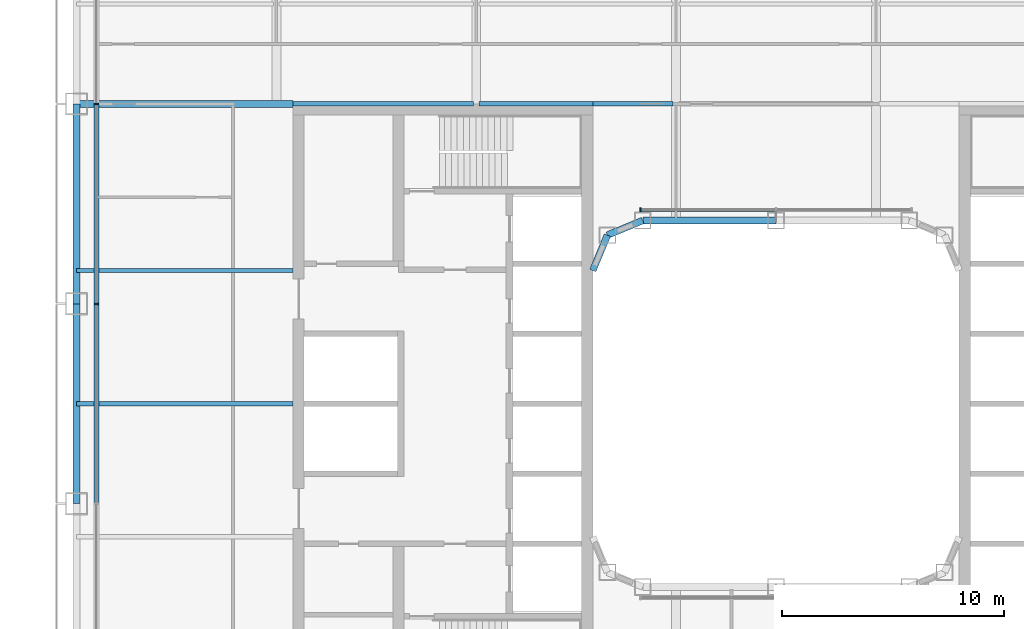
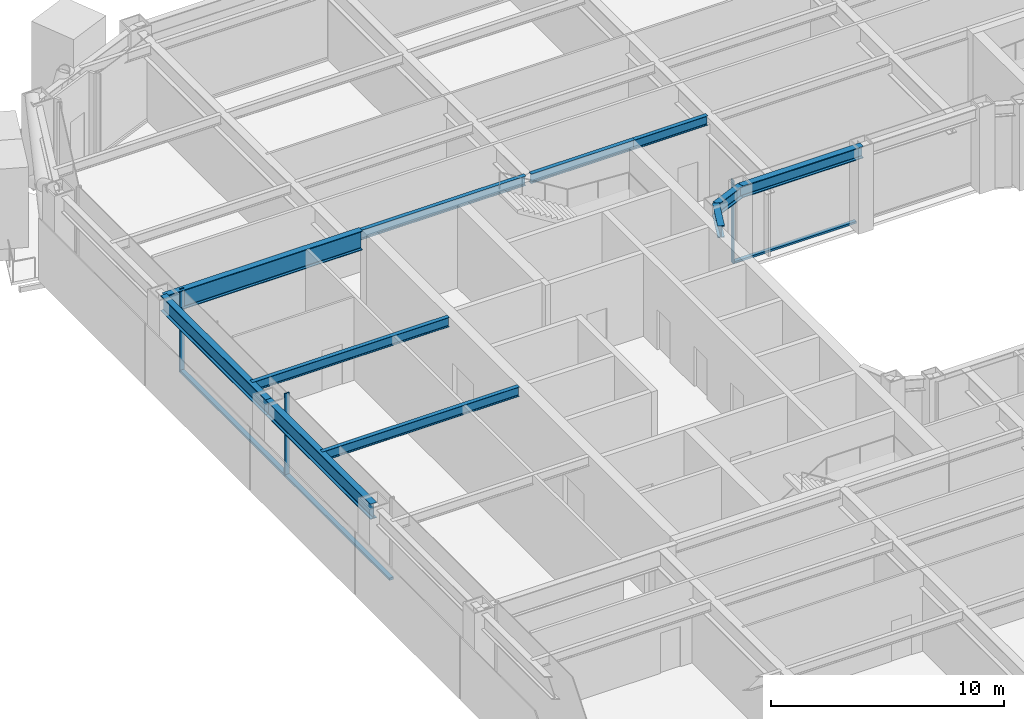
# One storey, part 6 of 29: 11 beams, 6 members, 2 elements without a shape of their own.
"""IFC4 building model written with IfcOpenShell, lengths in metres."""

import ifcopenshell
import ifcopenshell.guid

model = None  # the IFC model being written
_history = None  # IfcOwnerHistory: only IFC2X3 demands one
_inside = {}  # id of a spatial element -> (the spatial element, [elements in it])
_under = {}  # id of a project, library or spatial element -> (it, [spatial elements below it])
_declared = {}  # id of a project -> (the project, [libraries it declares])
_typed = {}  # id of a type object -> (the type object, [elements of that type])
_made_of = {}  # id of a material, layer set ... -> (it, [elements and type objects made of it])


def new_model(schema):
    """Start an empty IFC model of exactly this schema.

    Asked for "IFC4X3", IfcOpenShell would pick the latest addendum, in which some entities
    have other attributes; the version numbers below select the first issue.
    IFC2X3 requires an IfcOwnerHistory on every rooted entity: one is made here for all.
    """
    global model, _history
    if schema == "IFC4X3":
        model = ifcopenshell.file(schema_version=(4, 3, 0, 0))
    else:
        model = ifcopenshell.file(schema=schema)
    _inside.clear()
    _under.clear()
    _declared.clear()
    _typed.clear()
    _made_of.clear()
    _history = None
    if model.schema == "IFC2X3":
        org = make("IfcOrganization", Name="unknown")
        user = make(
            "IfcPersonAndOrganization",
            ThePerson=make("IfcPerson", FamilyName="unknown"),
            TheOrganization=org,
        )
        app = make(
            "IfcApplication",
            ApplicationDeveloper=org,
            Version="unknown",
            ApplicationFullName="unknown",
            ApplicationIdentifier="unknown",
        )
        _history = make(
            "IfcOwnerHistory",
            OwningUser=user,
            OwningApplication=app,
            ChangeAction="ADDED",
            CreationDate=0,
        )
    return model


def make(cls, **values):
    """One entity of the class cls with the attributes given. An attribute that is None is left unset."""
    return model.create_entity(
        cls, **{name: value for name, value in values.items() if value is not None}
    )


def rooted(cls, **values):
    """An entity with a GlobalId (a new one), such as an element, a storey or a relation."""
    return make(cls, GlobalId=ifcopenshell.guid.new(), OwnerHistory=_history, **values)


def si_unit(unit_type, name, prefix=None):
    """IfcSIUnit, for example si_unit("LENGTHUNIT", "METRE", prefix="MILLI")."""
    return make("IfcSIUnit", UnitType=unit_type, Prefix=prefix, Name=name)


def assignment(units):
    """IfcUnitAssignment: the units of a project."""
    return None if units is None else make("IfcUnitAssignment", Units=units)


def point(xyz):
    """IfcCartesianPoint."""
    return None if xyz is None else make("IfcCartesianPoint", Coordinates=xyz)


def direction(xyz):
    """IfcDirection."""
    return None if xyz is None else make("IfcDirection", DirectionRatios=xyz)


def frame(location, z_axis=None, x_axis=None):
    """IfcAxis2Placement3D, a coordinate frame: its origin and axes. An axis left out is left unset."""
    return make(
        "IfcAxis2Placement3D",
        Location=point(location),
        Axis=direction(z_axis),
        RefDirection=direction(x_axis),
    )


def frame_2d(location, x_axis=None):
    """IfcAxis2Placement2D, a coordinate frame in the plane: its origin and x axis."""
    return make(
        "IfcAxis2Placement2D", Location=point(location), RefDirection=direction(x_axis)
    )


def origin():
    """The frame at (0, 0, 0) with its axes left unset."""
    return frame((0.0, 0.0, 0.0))


def origin_2d():
    """The frame at (0, 0) in the plane with its x axis left unset."""
    return frame_2d((0.0, 0.0))


def place(relative_to, where):
    """IfcLocalPlacement: puts the frame where relative to a parent placement (None: the world)."""
    return make(
        "IfcLocalPlacement", PlacementRelTo=relative_to, RelativePlacement=where
    )


def context(
    kind, dimensions, precision=None, world=None, true_north=None, identifier=None
):
    """IfcGeometricRepresentationContext, for example the 3D "Model" context."""
    return make(
        "IfcGeometricRepresentationContext",
        ContextIdentifier=identifier,
        ContextType=kind,
        CoordinateSpaceDimension=dimensions,
        Precision=precision,
        WorldCoordinateSystem=world,
        TrueNorth=true_north,
    )


def subcontext(parent, identifier, kind, view, scale=None):
    """IfcGeometricRepresentationSubContext, for example "Body" below "Model"."""
    return make(
        "IfcGeometricRepresentationSubContext",
        ContextIdentifier=identifier,
        ContextType=kind,
        ParentContext=parent,
        TargetScale=scale,
        TargetView=view,
    )


def project(units=None, contexts=None):
    """IfcProject with its units and contexts."""
    return rooted(
        "IfcProject",
        Name="project",
        RepresentationContexts=contexts,
        UnitsInContext=assignment(units),
    )


def spatial(cls, under=None, at=None, **own):
    """A site, building, storey or space (cls), placed at a placement, below another one or the project."""
    s = rooted(cls, ObjectPlacement=at, **own)
    if under is not None:
        _under.setdefault(under.id(), (under, []))[1].append(s)
    return s


def profile(cls, at=None, kind="AREA", **sizes):
    """A parametric profile (cls). Its sizes go by their IFC names, for example OverallWidth=200.0."""
    return make(cls, ProfileType=kind, Position=at, **sizes)


def rectangle(**sizes):
    """IfcRectangleProfileDef."""
    return profile("IfcRectangleProfileDef", **sizes)


def i_section(**sizes):
    """IfcIShapeProfileDef."""
    return profile("IfcIShapeProfileDef", **sizes)


def extrude(swept, where, along, depth):
    """IfcExtrudedAreaSolid: the profile swept, set in the frame where, extruded along a direction by depth."""
    return make(
        "IfcExtrudedAreaSolid",
        SweptArea=swept,
        Position=where,
        ExtrudedDirection=direction(along),
        Depth=depth,
    )


def shape(context_of_items, identifier, shape_type, items):
    """IfcShapeRepresentation: the items that make up one representation, for example the "Body"."""
    return make(
        "IfcShapeRepresentation",
        ContextOfItems=context_of_items,
        RepresentationIdentifier=identifier,
        RepresentationType=shape_type,
        Items=items,
    )


def material(Name=None, Category=None):
    """IfcMaterial."""
    return make("IfcMaterial", Name=Name, Category=Category)


def layer(
    of_material, thickness, ventilated=None, Name=None, Category=None, Priority=None
):
    """IfcMaterialLayer: one layer of a wall or slab, of a material (None: an air gap)."""
    return make(
        "IfcMaterialLayer",
        Material=of_material,
        LayerThickness=thickness,
        IsVentilated=ventilated,
        Name=Name,
        Category=Category,
        Priority=Priority,
    )


def layer_set(layers, Name=None):
    """IfcMaterialLayerSet."""
    return make("IfcMaterialLayerSet", MaterialLayers=layers, LayerSetName=Name)


def material_profile(
    of_material, cross_section, Name=None, Category=None, Priority=None
):
    """IfcMaterialProfile: a cross section and its material."""
    return make(
        "IfcMaterialProfile",
        Name=Name,
        Material=of_material,
        Profile=cross_section,
        Priority=Priority,
        Category=Category,
    )


def profile_set(profiles, Name=None, composite=None):
    """IfcMaterialProfileSet."""
    return make(
        "IfcMaterialProfileSet",
        Name=Name,
        MaterialProfiles=profiles,
        CompositeProfile=composite,
    )


def made_of(thing, what):
    """Note that an element or type object is made of a material, layer set ...; save() writes the relation."""
    if what is not None:
        _made_of.setdefault(what.id(), (what, []))[1].append(thing)
    return thing


def type_object(cls, material=None, **own):
    """A type object (cls), such as IfcWallType, which elements share."""
    return made_of(rooted(cls, **own), material)


def element(
    cls,
    number,
    at=None,
    inside=None,
    cuts=None,
    type_object=None,
    material=None,
    context=None,
    identifier="Body",
    shape_type=None,
    held_by="IfcProductDefinitionShape",
    body=None,
    shapes=None,
    **own,
):
    """One element of the class cls, such as IfcWall. Its Tag is "e" and its number.

    at: its placement. inside: the storey or other place that contains it. cuts: it is an
    opening in that element (IfcRelVoidsElement). A single representation is given by context,
    identifier, shape_type and body (its items); several are given by shapes. held_by: the class
    of the entity that holds the representations. save() writes the other relations.
    """
    e = rooted(cls, Tag="e%d" % number, ObjectPlacement=at, **own)
    if body is not None:
        shapes = [shape(context, identifier, shape_type, body)]
    if shapes is not None:
        e.Representation = make(held_by, Representations=shapes)
    if inside is not None:
        _inside.setdefault(inside.id(), (inside, []))[1].append(e)
    if cuts is not None:
        rooted(
            "IfcRelVoidsElement", RelatingBuildingElement=cuts, RelatedOpeningElement=e
        )
    if type_object is not None:
        _typed.setdefault(type_object.id(), (type_object, []))[1].append(e)
    return made_of(e, material)


def aggregate(whole, parts):
    """IfcRelAggregates: a whole, such as a stair, and the parts it consists of."""
    return rooted("IfcRelAggregates", RelatingObject=whole, RelatedObjects=parts)


def save(model, path):
    """Write the relations noted so far, then the file.

    IfcRelAggregates (storeys below a building ...), IfcRelContainedInSpatialStructure (elements
    in a storey), IfcRelDefinesByType, IfcRelAssociatesMaterial and IfcRelDeclares: one each for
    every whole, place, type object, material and project.
    """
    for whole, parts in _under.values():
        aggregate(whole, parts)
    for where, things in _inside.values():
        rooted(
            "IfcRelContainedInSpatialStructure",
            RelatedElements=things,
            RelatingStructure=where,
        )
    for kind, things in _typed.values():
        rooted("IfcRelDefinesByType", RelatedObjects=things, RelatingType=kind)
    for what, things in _made_of.values():
        rooted("IfcRelAssociatesMaterial", RelatedObjects=things, RelatingMaterial=what)
    for by, libraries in _declared.values():
        rooted("IfcRelDeclares", RelatingContext=by, RelatedDefinitions=libraries)
    model.write(path)


model = new_model("IFC4")

# Units and contexts
model_context = context("Model", 3, precision=1e-05, world=origin(), true_north=direction((0.0, 1.0)))
body_context = subcontext(model_context, "Body", "Model", "MODEL_VIEW")
ifc_project = project(units=[si_unit("LENGTHUNIT", "METRE"), si_unit("AREAUNIT", "SQUARE_METRE"), si_unit("VOLUMEUNIT", "CUBIC_METRE"), si_unit("PLANEANGLEUNIT", "RADIAN"), si_unit("MASSUNIT", "GRAM", prefix="KILO")], contexts=[model_context])

# Site, building, storey
site_placement = place(None, origin())
site = spatial("IfcSite", under=ifc_project, at=site_placement, CompositionType="ELEMENT")
building_placement = place(site_placement, origin())
building = spatial("IfcBuilding", under=site, at=building_placement, Name="Siwar Civic Tower", CompositionType="ELEMENT")
storey_placement = place(building_placement, frame((0.0, 0.0, 67.199951171875)))
storey = spatial("IfcBuildingStorey", under=building, at=storey_placement, Name="L14", CompositionType="ELEMENT", Elevation=67.199951171875)

# Curtain wall, members
ifc_material_1 = material(Name="Aluminium and glass", Category="aluminium")
ifc_layer_1 = layer(ifc_material_1, 0.219970703125)
ifc_layer_set_1 = layer_set([ifc_layer_1], Name="Aluminium and glass")
curtain_wall_type_1 = type_object("IfcCurtainWallType", Name="ENV-CW-A", PredefinedType="NOTDEFINED", material=ifc_layer_set_1)
curtain_wall_1_placement = place(storey_placement, origin())
curtain_wall_1 = element("IfcCurtainWall", 1, at=curtain_wall_1_placement, inside=storey, type_object=curtain_wall_type_1, Name="Curtain wall A W", PredefinedType="NOTDEFINED")
ifc_material_2 = material(Name="Aluminium 6063-T6", Category="aluminium")
ifc_material_profile_1 = material_profile(ifc_material_2, rectangle(XDim=0.219970703125, YDim=0.070068359375, at=origin_2d()), Name="AL 220x70")
ifc_profile_set_1 = profile_set([ifc_material_profile_1], Name="Aluminium 6063-T6")
member_type_1 = type_object("IfcMemberType", Name="ENV-MULLION-A", PredefinedType="MULLION", material=ifc_profile_set_1)
member_1_placement = place(storey_placement, frame((-30.60009765625, 13.5, 0.0), z_axis=(0.0, 0.0, 1.0), x_axis=(1.0, 0.0, 0.0)))
member_1 = element("IfcMember", 2, at=member_1_placement, type_object=member_type_1, Name="Mullion A W 2", PredefinedType="MULLION", context=body_context, shape_type="SweptSolid", body=[
    extrude(rectangle(XDim=0.219970703125, YDim=0.070068359375, at=origin_2d()), origin(), (0.0, 0.0, 1.0), 4.35009765625),
])
member_2_placement = place(storey_placement, frame((-30.60009765625, 4.5, 0.0), z_axis=(0.0, 0.0, 1.0), x_axis=(1.0, 0.0, 0.0)))
member_2 = element("IfcMember", 3, at=member_2_placement, type_object=member_type_1, Name="Mullion A W 3", PredefinedType="MULLION", context=body_context, shape_type="SweptSolid", body=[
    extrude(rectangle(XDim=0.219970703125, YDim=0.070068359375, at=origin_2d()), origin(), (0.0, 0.0, 1.0), 4.35009765625),
])

# Curtain wall, member
ifc_material_3 = material(Name="Aluminium and glass", Category="aluminium")
ifc_layer_2 = layer(ifc_material_3, 0.179931640625)
ifc_layer_set_2 = layer_set([ifc_layer_2], Name="Aluminium and glass")
curtain_wall_type_2 = type_object("IfcCurtainWallType", Name="ENV-CW-W", PredefinedType="NOTDEFINED", material=ifc_layer_set_2)
curtain_wall_2_placement = place(storey_placement, origin())
curtain_wall_2 = element("IfcCurtainWall", 4, at=curtain_wall_2_placement, inside=storey, type_object=curtain_wall_type_2, Name="Curtain wall W WN", PredefinedType="NOTDEFINED")
ifc_material_4 = material(Name="Aluminium 6063-T6", Category="aluminium")
ifc_material_profile_2 = material_profile(ifc_material_4, rectangle(XDim=0.179931640625, YDim=0.06005859375, at=origin_2d()), Name="AL 180x60")
ifc_profile_set_2 = profile_set([ifc_material_profile_2], Name="Aluminium 6063-T6")
member_type_2 = type_object("IfcMemberType", Name="ENV-MULLION-W", PredefinedType="MULLION", material=ifc_profile_set_2)
member_3_placement = place(storey_placement, frame((-6.096435546875, 8.735107421875, 0.0), z_axis=(0.0, 0.0, 1.0), x_axis=(0.0, -1.0, 0.0)))
member_3 = element("IfcMember", 5, at=member_3_placement, type_object=member_type_2, Name="Mullion W WN 3", PredefinedType="MULLION", context=body_context, shape_type="SweptSolid", body=[
    extrude(rectangle(XDim=0.179931640625, YDim=0.06005859375, at=origin_2d()), origin(), (0.0, 0.0, 1.0), 4.35009765625),
])

# Member
ifc_material_5 = material(Name="Aluminium 6063-T6", Category="aluminium")
ifc_material_profile_3 = material_profile(ifc_material_5, rectangle(XDim=0.219970703125, YDim=0.1201171875, at=origin_2d()), Name="AL 220x120")
ifc_profile_set_3 = profile_set([ifc_material_profile_3], Name="Aluminium 6063-T6")
member_type_3 = type_object("IfcMemberType", Name="ENV-TRANSOM-A", PredefinedType="USERDEFINED", material=ifc_profile_set_3)
member_4_placement = place(storey_placement, frame((-30.60009765625, 13.465087890625, 0.06005859375), z_axis=(0.0, -1.0, 0.0), x_axis=(1.0, 0.0, 0.0)))
member_4 = element("IfcMember", 6, at=member_4_placement, type_object=member_type_3, Name="Transom A W 2", ObjectType="TRANSOM", PredefinedType="USERDEFINED", context=body_context, shape_type="SweptSolid", body=[
    extrude(rectangle(XDim=0.219970703125, YDim=0.1201171875, at=origin_2d()), origin(), (0.0, 0.0, 1.0), 8.93017578125),
])

member_5_placement = place(storey_placement, frame((-30.60009765625, 4.465087890625, 0.06005859375), z_axis=(0.0, -1.0, 0.0), x_axis=(1.0, 0.0, 0.0)))
member_5 = element("IfcMember", 7, at=member_5_placement, type_object=member_type_3, Name="Transom A W 3", ObjectType="TRANSOM", PredefinedType="USERDEFINED", context=body_context, shape_type="SweptSolid", body=[
    extrude(rectangle(XDim=0.219970703125, YDim=0.1201171875, at=origin_2d()), origin(), (0.0, 0.0, 1.0), 8.93017578125),
])

aggregate(curtain_wall_1, [member_1, member_2, member_4, member_5])

ifc_material_6 = material(Name="Aluminium 6063-T6", Category="aluminium")
ifc_material_profile_4 = material_profile(ifc_material_6, rectangle(XDim=0.179931640625, YDim=0.10009765625, at=origin_2d()), Name="AL 180x100")
ifc_profile_set_4 = profile_set([ifc_material_profile_4], Name="Aluminium 6063-T6")
member_type_4 = type_object("IfcMemberType", Name="ENV-TRANSOM-W", PredefinedType="USERDEFINED", material=ifc_profile_set_4)
member_6_placement = place(storey_placement, frame((-0.030029296875, 8.735107421875, 0.050048828125), z_axis=(-1.0, 0.0, 0.0), x_axis=(0.0, -1.0, 0.0)))
member_6 = element("IfcMember", 8, at=member_6_placement, type_object=member_type_4, Name="Transom W WN 2", ObjectType="TRANSOM", PredefinedType="USERDEFINED", context=body_context, shape_type="SweptSolid", body=[
    extrude(rectangle(XDim=0.179931640625, YDim=0.10009765625, at=origin_2d()), origin(), (0.0, 0.0, 1.0), 6.036376953125),
])

aggregate(curtain_wall_2, [member_3, member_6])

# Beams
ifc_material_7 = material(Name="Steel S355", Category="steel")
ifc_material_profile_5 = material_profile(ifc_material_7, i_section(OverallWidth=0.199951171875, OverallDepth=0.5, WebThickness=0.01025390625, FlangeThickness=0.01611328125, FilletRadius=0.02099609375, at=origin_2d()), Name="IPE500")
ifc_profile_set_5 = profile_set([ifc_material_profile_5], Name="Steel S355")
beam_type_1 = type_object("IfcBeamType", Name="STR-FB-IPE500", PredefinedType="JOIST", material=ifc_profile_set_5)
for number, where, z_axis, x_axis, name in (
    (9, (-31.5, 0.0, 4.10009765625), (1.0, 0.0, 0.0), (0.0, 1.0, 0.0), "L14/bm/F033"),
    (10, (-31.5, 6.0, 4.10009765625), (1.0, 0.0, 0.0), (0.0, 1.0, 0.0), "L14/bm/F035"),
):
    element("IfcBeam", number, at=place(storey_placement, frame(where, z_axis=z_axis, x_axis=x_axis)), inside=storey, type_object=beam_type_1, Name=name, PredefinedType="JOIST", context=body_context, shape_type="SweptSolid", body=[
        extrude(i_section(OverallWidth=0.199951171875, OverallDepth=0.5, WebThickness=0.01025390625, FlangeThickness=0.01611328125, FilletRadius=0.02099609375, at=origin_2d()), origin(), (0.0, 0.0, 1.0), 9.75),
    ])
beam_1_placement = place(storey_placement, frame((-21.75, 13.5, 4.10009765625), z_axis=(1.0, 0.0, 0.0), x_axis=(0.0, 1.0, 0.0)))
element("IfcBeam", 11, at=beam_1_placement, inside=storey, type_object=beam_type_1, Name="L14/bm/F038", PredefinedType="JOIST", context=body_context, shape_type="SweptSolid", body=[
    extrude(i_section(OverallWidth=0.199951171875, OverallDepth=0.5, WebThickness=0.01025390625, FlangeThickness=0.01611328125, FilletRadius=0.02099609375, at=origin_2d()), origin(), (0.0, 0.0, 1.0), 8.1201171875),
])
beam_2_placement = place(storey_placement, frame((-13.3701171875, 13.5, 4.10009765625), z_axis=(1.0, 0.0, 0.0), x_axis=(0.0, 1.0, 0.0)))
element("IfcBeam", 12, at=beam_2_placement, inside=storey, type_object=beam_type_1, Name="L14/bm/F039", PredefinedType="JOIST", context=body_context, shape_type="SweptSolid", body=[
    extrude(i_section(OverallWidth=0.199951171875, OverallDepth=0.5, WebThickness=0.01025390625, FlangeThickness=0.01611328125, FilletRadius=0.02099609375, at=origin_2d()), origin(), (0.0, 0.0, 1.0), 5.1201171875),
])
beam_3_placement = place(storey_placement, frame((-8.25, 13.5, 4.10009765625), z_axis=(1.0, 0.0, 0.0), x_axis=(0.0, 1.0, 0.0)))
element("IfcBeam", 13, at=beam_3_placement, inside=storey, type_object=beam_type_1, Name="L14/bm/F040", PredefinedType="JOIST", context=body_context, shape_type="SweptSolid", body=[
    extrude(i_section(OverallWidth=0.199951171875, OverallDepth=0.5, WebThickness=0.01025390625, FlangeThickness=0.01611328125, FilletRadius=0.02099609375, at=origin_2d()), origin(), (0.0, 0.0, 1.0), 3.6201171875),
])
ifc_material_8 = material(Name="Steel S355", Category="steel")
ifc_material_profile_6 = material_profile(ifc_material_8, i_section(OverallWidth=0.300048828125, OverallDepth=1.0, WebThickness=0.01904296875, FlangeThickness=0.035888671875, FilletRadius=0.030029296875, at=origin_2d()), Name="HEB1000")
ifc_profile_set_6 = profile_set([ifc_material_profile_6], Name="Steel S355")
beam_type_2 = type_object("IfcBeamType", Name="STR-PG-HEB1000", PredefinedType="BEAM", material=ifc_profile_set_6)
beam_4_placement = place(storey_placement, frame((-31.5, 13.5, 3.85009765625), z_axis=(1.0, 0.0, 0.0), x_axis=(0.0, 1.0, 0.0)))
element("IfcBeam", 14, at=beam_4_placement, inside=storey, type_object=beam_type_2, Name="L14/bm/F037", PredefinedType="BEAM", context=body_context, shape_type="SweptSolid", body=[
    extrude(i_section(OverallWidth=0.300048828125, OverallDepth=1.0, WebThickness=0.01904296875, FlangeThickness=0.035888671875, FilletRadius=0.030029296875, at=origin_2d()), origin(), (0.0, 0.0, 1.0), 9.75),
])
ifc_material_9 = material(Name="Steel S355", Category="steel")
ifc_material_profile_7 = material_profile(ifc_material_9, i_section(OverallWidth=0.304931640625, OverallDepth=0.6201171875, WebThickness=0.02099609375, FlangeThickness=0.0400390625, FilletRadius=0.027099609375, at=origin_2d()), Name="HEM600")
ifc_profile_set_7 = profile_set([ifc_material_profile_7], Name="Steel S355")
beam_type_3 = type_object("IfcBeamType", Name="STR-RB-HEM600", PredefinedType="BEAM", material=ifc_profile_set_7)
beam_5_placement = place(storey_placement, frame((-7.591064453125, 7.591064453125, 4.0400390625), z_axis=(0.923901072997, 0.382631424892, 0.0), x_axis=(-0.382631424892, 0.923901072997, 0.0)))
element("IfcBeam", 15, at=beam_5_placement, inside=storey, type_object=beam_type_3, Name="L14/bm/RN0", PredefinedType="BEAM", context=body_context, shape_type="SweptSolid", body=[
    extrude(i_section(OverallWidth=0.304931640625, OverallDepth=0.6201171875, WebThickness=0.02099609375, FlangeThickness=0.0400390625, FilletRadius=0.027099609375, at=origin_2d()), origin(), (0.0, 0.0, 1.0), 1.72216796875),
])
beam_6_placement = place(storey_placement, frame((-6.0, 8.25, 4.0400390625), z_axis=(1.0, 0.0, 0.0), x_axis=(0.0, 1.0, 0.0)))
element("IfcBeam", 16, at=beam_6_placement, inside=storey, type_object=beam_type_3, Name="L14/bm/RN1", PredefinedType="BEAM", context=body_context, shape_type="SweptSolid", body=[
    extrude(i_section(OverallWidth=0.304931640625, OverallDepth=0.6201171875, WebThickness=0.02099609375, FlangeThickness=0.0400390625, FilletRadius=0.027099609375, at=origin_2d()), origin(), (0.0, 0.0, 1.0), 6.0),
])
beam_7_placement = place(storey_placement, frame((-7.591064453125, 7.591064453125, 4.0400390625), z_axis=(-0.382631424892, -0.923901072997, 0.0), x_axis=(0.923901072997, -0.382631424892, 0.0)))
element("IfcBeam", 17, at=beam_7_placement, inside=storey, type_object=beam_type_3, Name="L14/bm/RNEW", PredefinedType="BEAM", context=body_context, shape_type="SweptSolid", body=[
    extrude(i_section(OverallWidth=0.304931640625, OverallDepth=0.6201171875, WebThickness=0.02099609375, FlangeThickness=0.0400390625, FilletRadius=0.027099609375, at=origin_2d()), origin(), (0.0, 0.0, 1.0), 1.72216796875),
])
ifc_material_10 = material(Name="Steel S355", Category="steel")
ifc_material_profile_8 = material_profile(ifc_material_10, i_section(OverallWidth=0.302978515625, OverallDepth=0.81396484375, WebThickness=0.02099609375, FlangeThickness=0.0400390625, FilletRadius=0.030029296875, at=origin_2d()), Name="HEM800")
ifc_profile_set_8 = profile_set([ifc_material_profile_8], Name="Steel S355")
beam_type_4 = type_object("IfcBeamType", Name="STR-SB-HEM800", PredefinedType="BEAM", material=ifc_profile_set_8)
for number, where, z_axis, x_axis, name in (
    (18, (-31.5, 13.5, 3.943115234375), (0.0, -1.0, 0.0), (1.0, 0.0, 0.0), "L14/bm/SW-1"),
    (19, (-31.5, 4.5, 3.943115234375), (0.0, -1.0, 0.0), (1.0, 0.0, 0.0), "L14/bm/SW-2"),
):
    element("IfcBeam", number, at=place(storey_placement, frame(where, z_axis=z_axis, x_axis=x_axis)), inside=storey, type_object=beam_type_4, Name=name, PredefinedType="BEAM", context=body_context, shape_type="SweptSolid", body=[
        extrude(i_section(OverallWidth=0.302978515625, OverallDepth=0.81396484375, WebThickness=0.02099609375, FlangeThickness=0.0400390625, FilletRadius=0.030029296875, at=origin_2d()), origin(), (0.0, 0.0, 1.0), 9.0),
    ])

save(model, "model.ifc")
